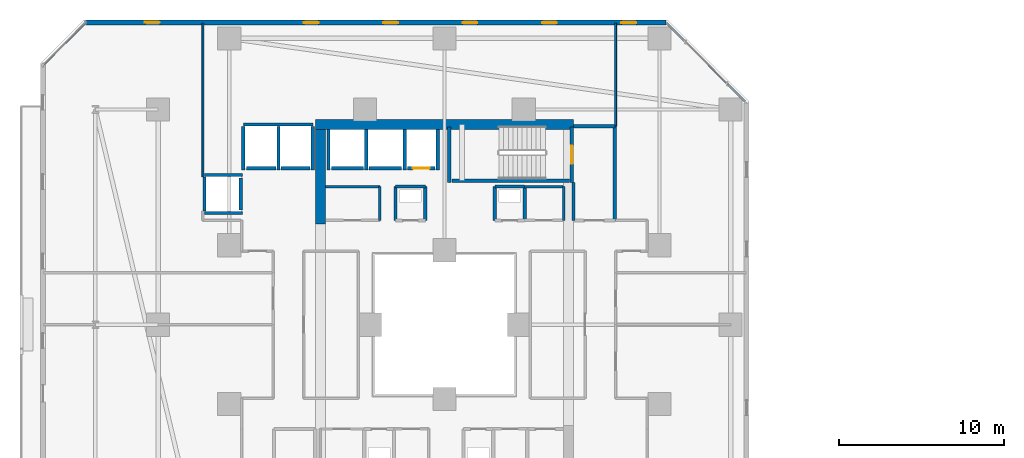
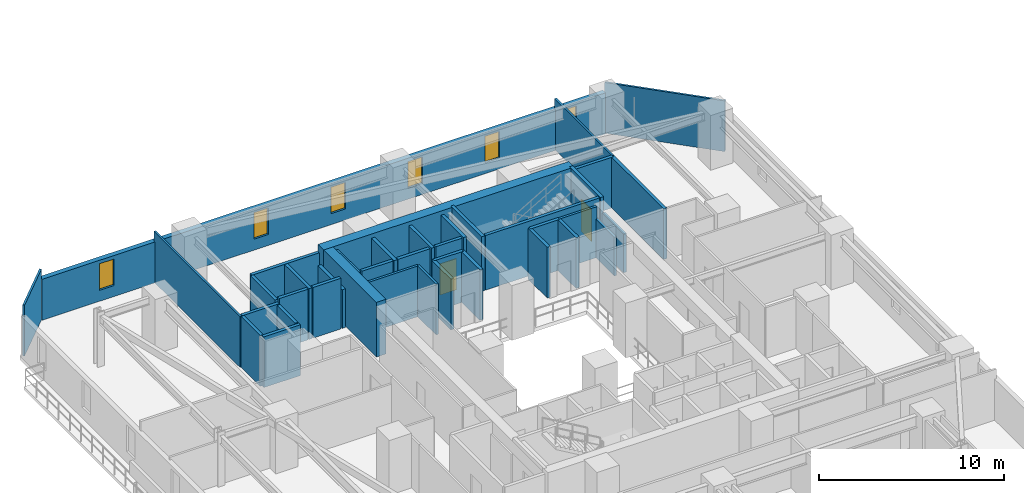
# One storey, part 21 of 33: 40 walls, 6 windows, 2 doors, 8 openings.
"""IFC4 building model written with IfcOpenShell, lengths in metres."""

from ifc_helpers import new_model, si_unit, direction, frame, frame_2d, origin, place, context, subcontext, project, spatial, rectangle, extrude, material, layer, layer_set, type_object, element, fill, save


model = new_model("IFC4")

# Units and contexts
model_context = context("Model", 3, precision=1e-05, world=origin(), true_north=direction((0.0, 1.0)))
body_context = subcontext(model_context, "Body", "Model", "MODEL_VIEW")
ifc_project = project(units=[si_unit("LENGTHUNIT", "METRE"), si_unit("AREAUNIT", "SQUARE_METRE"), si_unit("VOLUMEUNIT", "CUBIC_METRE"), si_unit("PLANEANGLEUNIT", "RADIAN"), si_unit("MASSUNIT", "GRAM", prefix="KILO")], contexts=[model_context])

# Site, building, storey
site_placement = place(None, origin())
site = spatial("IfcSite", under=ifc_project, at=site_placement, CompositionType="ELEMENT")
building_placement = place(site_placement, origin())
building = spatial("IfcBuilding", under=site, at=building_placement, Name="Thornwick Lancets Civic Towers", CompositionType="ELEMENT")
storey_placement = place(building_placement, frame((0.0, 0.0, 42.300048828125)))
storey = spatial("IfcBuildingStorey", under=building, at=storey_placement, Name="L10", CompositionType="ELEMENT", Elevation=42.300048828125)

# Wall, opening, door
ifc_material_1 = material(Name="Concrete blockwork C40/50", Category="masonry")
ifc_layer_1 = layer(ifc_material_1, 0.199951171875, Name="Concrete blockwork C40/50")
ifc_layer_set_1 = layer_set([ifc_layer_1], Name="Concrete blockwork C40/50")
wall_type_1 = type_object("IfcWallType", Name="WALL_COMP_200", PredefinedType="STANDARD", material=ifc_layer_set_1)
wall_1_placement = place(storey_placement, frame((24.919921875, 36.449951171875, 0.0), z_axis=(0.0, 0.0, 1.0), x_axis=(-1.0, 0.0, 0.0)))
wall_1 = element("IfcWall", 1, at=wall_1_placement, inside=storey, type_object=wall_type_1, Name="L10 Hoistway Front Wall FL-A2", PredefinedType="STANDARD", context=body_context, shape_type="SweptSolid", body=[
    extrude(rectangle(XDim=1.639892578125, YDim=0.199951171875, at=frame_2d((0.81982421875, 0.0))), origin(), (0.0, 0.0, 1.0), 3.33984375),
])
opening_1_placement = place(wall_1_placement, frame((0.31005859375, 0.0, 0.0)))
opening_1 = element("IfcOpeningElement", 2, at=opening_1_placement, cuts=wall_1, Name="Opening LD-FL-A2", PredefinedType="OPENING", context=body_context, shape_type="SweptSolid", body=[
    extrude(rectangle(XDim=1.02001953125, YDim=2.06005859375, at=frame_2d((0.510009765625, 1.030029296875))), frame((0.0, 0.10986328125, 0.0), z_axis=(0.0, -1.0, 0.0), x_axis=(1.0, 0.0, 0.0)), (0.0, 0.0, 1.0), 0.219970703125),
])
ifc_material_2 = material(Name="Brushed bronze stainless steel", Category="steel")
door_type_1 = type_object("IfcDoorType", Name="DOOR_LIFT_SLIDE", OperationType="SLIDING_TO_LEFT", PredefinedType="DOOR", material=ifc_material_2)
door_1_placement = place(opening_1_placement, origin())
door_1 = element("IfcDoor", 3, at=door_1_placement, inside=storey, type_object=door_type_1, Name="L10 Sliding Lift Landing Door LD-FL-A2", OperationType="SLIDING_TO_LEFT", OverallHeight=2.06005859375, OverallWidth=1.02001953125, PredefinedType="DOOR", context=body_context, shape_type="SweptSolid", body=[
    extrude(rectangle(XDim=1.02001953125, YDim=2.06005859375, at=frame_2d((0.510009765625, 1.030029296875))), frame((0.0, 0.02490234375, 0.0), z_axis=(0.0, -1.0, 0.0), x_axis=(1.0, 0.0, 0.0)), (0.0, 0.0, 1.0), 0.050048828125),
])
fill(opening_1, door_1)

# Walls
wall_2_placement = place(storey_placement, frame((22.919921875, 36.449951171875, 0.0), z_axis=(0.0, 0.0, 1.0), x_axis=(-1.0, 0.0, 0.0)))
element("IfcWall", 4, at=wall_2_placement, inside=storey, type_object=wall_type_1, Name="L10 Hoistway Front Wall PL-AH2", PredefinedType="STANDARD", context=body_context, shape_type="SweptSolid", body=[
    extrude(rectangle(XDim=1.989990234375, YDim=0.199951171875, at=frame_2d((0.9951171875, 0.0))), origin(), (0.0, 0.0, 1.0), 3.33984375),
])
wall_3_placement = place(storey_placement, frame((20.6201171875, 36.449951171875, 0.0), z_axis=(0.0, 0.0, 1.0), x_axis=(-1.0, 0.0, 0.0)))
element("IfcWall", 5, at=wall_3_placement, inside=storey, type_object=wall_type_1, Name="L10 Hoistway Front Wall PL-AH3", PredefinedType="STANDARD", context=body_context, shape_type="SweptSolid", body=[
    extrude(rectangle(XDim=1.940185546875, YDim=0.199951171875, at=frame_2d((0.97021484375, 0.0))), origin(), (0.0, 0.0, 1.0), 3.33984375),
])
wall_4_placement = place(storey_placement, frame((17.3701171875, 36.449951171875, 0.0), z_axis=(0.0, 0.0, 1.0), x_axis=(-1.0, 0.0, 0.0)))
element("IfcWall", 6, at=wall_4_placement, inside=storey, type_object=wall_type_1, Name="L10 Hoistway Front Wall PL-AM1", PredefinedType="STANDARD", context=body_context, shape_type="SweptSolid", body=[
    extrude(rectangle(XDim=1.740234375, YDim=0.199951171875, at=frame_2d((0.8701171875, 0.0))), origin(), (0.0, 0.0, 1.0), 3.33984375),
])
wall_5_placement = place(storey_placement, frame((15.320068359375, 36.449951171875, 0.0), z_axis=(0.0, 0.0, 1.0), x_axis=(-1.0, 0.0, 0.0)))
element("IfcWall", 7, at=wall_5_placement, inside=storey, type_object=wall_type_1, Name="L10 Hoistway Front Wall PL-AM2", PredefinedType="STANDARD", context=body_context, shape_type="SweptSolid", body=[
    extrude(rectangle(XDim=1.7900390625, YDim=0.199951171875, at=frame_2d((0.89501953125, 0.0))), origin(), (0.0, 0.0, 1.0), 3.33984375),
])
wall_6_placement = place(storey_placement, frame((13.199951171875, 33.929931640625, 0.0), z_axis=(0.0, 0.0, 1.0), x_axis=(0.0, 1.0, 0.0)))
element("IfcWall", 8, at=wall_6_placement, inside=storey, type_object=wall_type_1, Name="L10 Hoistway Front Wall PL-AM3", PredefinedType="STANDARD", context=body_context, shape_type="SweptSolid", body=[
    extrude(rectangle(XDim=1.940185546875, YDim=0.199951171875, at=frame_2d((0.97021484375, 0.0))), origin(), (0.0, 0.0, 1.0), 3.33984375),
])
for number, where, z_axis, x_axis, name in (
    (9, (25.10009765625, 36.35205078125, 0.0), (0.0, 0.0, 1.0), (0.0, 1.0, 0.0), "L10 Hoistway Shaft Wall FL-A2 E"),
    (10, (23.10009765625, 36.35205078125, 0.0), (0.0, 0.0, 1.0), (0.0, 1.0, 0.0), "L10 Hoistway Shaft Wall FL-A2 W"),
    (11, (20.77490234375, 36.35205078125, 0.0), (0.0, 0.0, 1.0), (0.0, 1.0, 0.0), "L10 Hoistway Shaft Wall PL-AH2 W"),
    (12, (18.5, 36.35205078125, 0.0), (0.0, 0.0, 1.0), (0.0, 1.0, 0.0), "L10 Hoistway Shaft Wall PL-AH3 W"),
):
    element("IfcWall", number, at=place(storey_placement, frame(where, z_axis=z_axis, x_axis=x_axis)), inside=storey, type_object=wall_type_1, Name=name, PredefinedType="STANDARD", context=body_context, shape_type="SweptSolid", body=[
        extrude(rectangle(XDim=2.43603515625, YDim=0.199951171875, at=frame_2d((1.218017578125, 0.0))), origin(), (0.0, 0.0, 1.0), 3.33984375),
    ])
wall_7_placement = place(storey_placement, frame((13.35205078125, 39.10009765625, 0.0), z_axis=(0.0, 0.0, 1.0), x_axis=(1.0, 0.0, 0.0)))
element("IfcWall", 13, at=wall_7_placement, inside=storey, type_object=wall_type_1, Name="L10 Hoistway Shaft Wall PL-AM1 N", PredefinedType="STANDARD", context=body_context, shape_type="SweptSolid", body=[
    extrude(rectangle(XDim=4.196044921875, YDim=0.199951171875, at=frame_2d((2.09814453125, 0.0))), origin(), (0.0, 0.0, 1.0), 3.33984375),
])
wall_8_placement = place(storey_placement, frame((17.550048828125, 36.35205078125, 0.0), z_axis=(0.0, 0.0, 1.0), x_axis=(0.0, 1.0, 0.0)))
element("IfcWall", 14, at=wall_8_placement, inside=storey, type_object=wall_type_1, Name="L10 Hoistway Shaft Wall PL-AM1 E", PredefinedType="STANDARD", context=body_context, shape_type="SweptSolid", body=[
    extrude(rectangle(XDim=2.635986328125, YDim=0.199951171875, at=frame_2d((1.31787109375, 0.0))), origin(), (0.0, 0.0, 1.0), 2.544921875),
])
for number, where, z_axis, x_axis, name in (
    (15, (15.47509765625, 36.35205078125, 0.0), (0.0, 0.0, 1.0), (0.0, 1.0, 0.0), "L10 Hoistway Shaft Wall PL-AM1 W"),
    (16, (13.35009765625, 36.35205078125, 0.0), (0.0, 0.0, 1.0), (0.0, 1.0, 0.0), "L10 Hoistway Shaft Wall PL-AM2 W"),
):
    element("IfcWall", number, at=place(storey_placement, frame(where, z_axis=z_axis, x_axis=x_axis)), inside=storey, type_object=wall_type_1, Name=name, PredefinedType="STANDARD", context=body_context, shape_type="SweptSolid", body=[
        extrude(rectangle(XDim=2.635986328125, YDim=0.199951171875, at=frame_2d((1.31787109375, 0.0))), origin(), (0.0, 0.0, 1.0), 3.33984375),
    ])
for number, where, z_axis, x_axis, name in (
    (17, (11.001953125, 36.050048828125, 0.0), (0.0, 0.0, 1.0), (1.0, 0.0, 0.0), "L10 Hoistway Shaft Wall PL-AM3 N"),
    (18, (11.001953125, 33.75, 0.0), (0.0, 0.0, 1.0), (1.0, 0.0, 0.0), "L10 Hoistway Shaft Wall PL-AM3 S"),
):
    element("IfcWall", number, at=place(storey_placement, frame(where, z_axis=z_axis, x_axis=x_axis)), inside=storey, type_object=wall_type_1, Name=name, PredefinedType="STANDARD", context=body_context, shape_type="SweptSolid", body=[
        extrude(rectangle(XDim=2.296142578125, YDim=0.199951171875, at=frame_2d((1.14794921875, 0.0))), origin(), (0.0, 0.0, 1.0), 3.33984375),
    ])
wall_9_placement = place(storey_placement, frame((11.0, 33.862060546875, 0.0), z_axis=(0.0, 0.0, 1.0), x_axis=(0.0, 1.0, 0.0)))
element("IfcWall", 19, at=wall_9_placement, inside=storey, type_object=wall_type_1, Name="L10 Hoistway Shaft Wall PL-AM3 W", PredefinedType="STANDARD", context=body_context, shape_type="SweptSolid", body=[
    extrude(rectangle(XDim=2.075927734375, YDim=0.199951171875, at=frame_2d((1.0380859375, 0.0))), origin(), (0.0, 0.0, 1.0), 3.33984375),
])
wall_10_placement = place(storey_placement, frame((35.800048828125, 33.300048828125, 0.0), z_axis=(0.0, 0.0, 1.0), x_axis=(0.0, 1.0, 0.0)))
element("IfcWall", 20, at=wall_10_placement, inside=storey, type_object=wall_type_1, Name="L10 Partition L10-A-FFLOB2 E2", PredefinedType="STANDARD", context=body_context, shape_type="SweptSolid", body=[
    extrude(rectangle(XDim=5.699951171875, YDim=0.199951171875, at=frame_2d((2.85009765625, 0.0))), origin(), (0.0, 0.0, 1.0), 3.33984375),
])
wall_11_placement = place(storey_placement, frame((35.800048828125, 39.0, 0.0), z_axis=(0.0, 0.0, 1.0), x_axis=(-1.0, 0.0, 0.0)))
element("IfcWall", 21, at=wall_11_placement, inside=storey, type_object=wall_type_1, Name="L10 Partition L10-A-FFLOB2 E3", PredefinedType="STANDARD", context=body_context, shape_type="SweptSolid", body=[
    extrude(rectangle(XDim=2.5, YDim=0.199951171875, at=frame_2d((1.25, 0.0))), origin(), (0.0, 0.0, 1.0), 3.33984375),
])
wall_12_placement = place(storey_placement, frame((33.300048828125, 35.60009765625, 0.0), z_axis=(0.0, 0.0, 1.0), x_axis=(0.0, -1.0, 0.0)))
element("IfcWall", 22, at=wall_12_placement, inside=storey, type_object=wall_type_1, Name="L10 Partition L10-A-FFLOB2 E4", PredefinedType="STANDARD", context=body_context, shape_type="SweptSolid", body=[
    extrude(rectangle(XDim=2.300048828125, YDim=0.199951171875, at=frame_2d((1.14990234375, 0.0))), origin(), (0.0, 0.0, 1.0), 2.544921875),
])
wall_13_placement = place(storey_placement, frame((24.35009765625, 33.300048828125, 0.0), z_axis=(0.0, 0.0, 1.0), x_axis=(0.0, 1.0, 0.0)))
element("IfcWall", 23, at=wall_13_placement, inside=storey, type_object=wall_type_1, Name="L10 Partition L10-A-DUCT2 E2", PredefinedType="STANDARD", context=body_context, shape_type="SweptSolid", body=[
    extrude(rectangle(XDim=2.050048828125, YDim=0.199951171875, at=frame_2d((1.02490234375, 0.0))), origin(), (0.0, 0.0, 1.0), 3.33984375),
])
wall_14_placement = place(storey_placement, frame((24.35009765625, 35.35009765625, 0.0), z_axis=(0.0, 0.0, 1.0), x_axis=(-1.0, 0.0, 0.0)))
element("IfcWall", 24, at=wall_14_placement, inside=storey, type_object=wall_type_1, Name="L10 Partition L10-A-DUCT2 E3", PredefinedType="STANDARD", context=body_context, shape_type="SweptSolid", body=[
    extrude(rectangle(XDim=1.800048828125, YDim=0.199951171875, at=frame_2d((0.89990234375, 0.0))), origin(), (0.0, 0.0, 1.0), 3.33984375),
])
for number, where, z_axis, x_axis, name in (
    (25, (22.550048828125, 35.35009765625, 0.0), (0.0, 0.0, 1.0), (0.0, -1.0, 0.0), "L10 Partition L10-A-DUCT2 E4"),
    (26, (30.35009765625, 33.300048828125, 0.0), (0.0, 0.0, 1.0), (0.0, 1.0, 0.0), "L10 Partition L10-A-RISER2 E2"),
):
    element("IfcWall", number, at=place(storey_placement, frame(where, z_axis=z_axis, x_axis=x_axis)), inside=storey, type_object=wall_type_1, Name=name, PredefinedType="STANDARD", context=body_context, shape_type="SweptSolid", body=[
        extrude(rectangle(XDim=2.050048828125, YDim=0.199951171875, at=frame_2d((1.02490234375, 0.0))), origin(), (0.0, 0.0, 1.0), 3.33984375),
    ])
wall_15_placement = place(storey_placement, frame((30.35009765625, 35.35009765625, 0.0), z_axis=(0.0, 0.0, 1.0), x_axis=(-1.0, 0.0, 0.0)))
element("IfcWall", 27, at=wall_15_placement, inside=storey, type_object=wall_type_1, Name="L10 Partition L10-A-RISER2 E3", PredefinedType="STANDARD", context=body_context, shape_type="SweptSolid", body=[
    extrude(rectangle(XDim=1.800048828125, YDim=0.199951171875, at=frame_2d((0.89990234375, 0.0))), origin(), (0.0, 0.0, 1.0), 3.33984375),
])
wall_16_placement = place(storey_placement, frame((28.550048828125, 35.35009765625, 0.0), z_axis=(0.0, 0.0, 1.0), x_axis=(0.0, -1.0, 0.0)))
element("IfcWall", 28, at=wall_16_placement, inside=storey, type_object=wall_type_1, Name="L10 Partition L10-A-RISER2 E4", PredefinedType="STANDARD", context=body_context, shape_type="SweptSolid", body=[
    extrude(rectangle(XDim=2.050048828125, YDim=0.199951171875, at=frame_2d((1.02490234375, 0.0))), origin(), (0.0, 0.0, 1.0), 3.33984375),
])
ifc_material_3 = material(Name="Concrete C60/75", Category="concrete")
ifc_layer_2 = layer(ifc_material_3, 0.60009765625, Name="Concrete C60/75")
ifc_layer_set_2 = layer_set([ifc_layer_2], Name="Concrete C60/75")
wall_type_2 = type_object("IfcWallType", Name="WALL_CORE_600", PredefinedType="SHEAR", material=ifc_layer_set_2)
wall_17_placement = place(storey_placement, frame((17.699951171875, 39.10009765625, 0.0), z_axis=(0.0, 0.0, 1.0), x_axis=(1.0, 0.0, 0.0)))
element("IfcWall", 29, at=wall_17_placement, inside=storey, type_object=wall_type_2, Name="L10 Split Core A2 Shear Wall N", PredefinedType="SHEAR", context=body_context, shape_type="SweptSolid", body=[
    extrude(rectangle(XDim=15.60009765625, YDim=0.60009765625, at=frame_2d((7.800048828125, 0.0))), origin(), (0.0, 0.0, 1.0), 3.599853515625),
])
wall_18_placement = place(storey_placement, frame((18.0, 33.10009765625, 0.0), z_axis=(0.0, 0.0, 1.0), x_axis=(0.0, 1.0, 0.0)))
element("IfcWall", 30, at=wall_18_placement, inside=storey, type_object=wall_type_2, Name="L10 Split Core A2 Shear Wall W", PredefinedType="SHEAR", context=body_context, shape_type="SweptSolid", body=[
    extrude(rectangle(XDim=5.699951171875, YDim=0.60009765625, at=frame_2d((2.85009765625, 0.0))), origin(), (0.0, 0.0, 1.0), 3.599853515625),
])

# Wall, openings, windows
ifc_material_4 = material(Name="Insulated russet terracotta rainscreen on concrete C40/50", Category="masonry")
ifc_layer_3 = layer(ifc_material_4, 0.300048828125, Name="Insulated russet terracotta rainscreen on concrete C40/50")
ifc_layer_set_3 = layer_set([ifc_layer_3], Name="Insulated russet terracotta rainscreen on concrete C40/50")
wall_type_3 = type_object("IfcWallType", Name="WALL_EXT_RUSSET_300", PredefinedType="STANDARD", material=ifc_layer_set_3)
wall_19_placement = place(storey_placement, frame((38.899169921875, 45.257568359375, 0.0), z_axis=(0.0, 0.0, 1.0), x_axis=(-0.999999978205, 0.000208784245, 0.0)))
wall_19 = element("IfcWall", 31, at=wall_19_placement, inside=storey, type_object=wall_type_3, Name="L10 Tower A Terracotta Facade Wall E4", PredefinedType="STANDARD", context=body_context, shape_type="SweptSolid", body=[
    extrude(rectangle(XDim=35.080322265625, YDim=0.300048828125, at=frame_2d((17.5400390625, 0.0))), origin(), (0.0, 0.0, 1.0), 2.699951171875),
])
opening_2_placement = place(wall_19_placement, frame((1.800048828125, 0.0, 0.719970703125)))
opening_2 = element("IfcOpeningElement", 32, at=opening_2_placement, cuts=wall_19, Name="Opening WL-01", PredefinedType="OPENING", context=body_context, shape_type="SweptSolid", body=[
    extrude(rectangle(XDim=0.89990234375, YDim=1.75, at=frame_2d((0.449951171875, 0.875))), frame((0.0, 0.16015625, 0.0), z_axis=(0.0, -1.0, 0.0), x_axis=(1.0, 0.0, 0.0)), (0.0, 0.0, 1.0), 0.320068359375),
])
opening_3_placement = place(wall_19_placement, frame((6.60009765625, 0.0, 0.719970703125)))
opening_3 = element("IfcOpeningElement", 33, at=opening_3_placement, cuts=wall_19, Name="Opening WL-01", PredefinedType="OPENING", context=body_context, shape_type="SweptSolid", body=[
    extrude(rectangle(XDim=0.89990234375, YDim=1.75, at=frame_2d((0.449951171875, 0.875))), frame((0.0, 0.16015625, 0.0), z_axis=(0.0, -1.0, 0.0), x_axis=(1.0, 0.0, 0.0)), (0.0, 0.0, 1.0), 0.320068359375),
])
opening_4_placement = place(wall_19_placement, frame((11.39990234375, 0.0, 0.719970703125)))
opening_4 = element("IfcOpeningElement", 34, at=opening_4_placement, cuts=wall_19, Name="Opening WL-01", PredefinedType="OPENING", context=body_context, shape_type="SweptSolid", body=[
    extrude(rectangle(XDim=0.89990234375, YDim=1.75, at=frame_2d((0.449951171875, 0.875))), frame((0.0, 0.16015625, 0.0), z_axis=(0.0, -1.0, 0.0), x_axis=(1.0, 0.0, 0.0)), (0.0, 0.0, 1.0), 0.320068359375),
])
opening_5_placement = place(wall_19_placement, frame((16.199951171875, 0.0, 0.719970703125)))
opening_5 = element("IfcOpeningElement", 35, at=opening_5_placement, cuts=wall_19, Name="Opening WL-01", PredefinedType="OPENING", context=body_context, shape_type="SweptSolid", body=[
    extrude(rectangle(XDim=0.89990234375, YDim=1.75, at=frame_2d((0.449951171875, 0.875))), frame((0.0, 0.16015625, 0.0), z_axis=(0.0, -1.0, 0.0), x_axis=(1.0, 0.0, 0.0)), (0.0, 0.0, 1.0), 0.320068359375),
])
opening_6_placement = place(wall_19_placement, frame((21.0, 0.0, 0.719970703125)))
opening_6 = element("IfcOpeningElement", 36, at=opening_6_placement, cuts=wall_19, Name="Opening WL-01", PredefinedType="OPENING", context=body_context, shape_type="SweptSolid", body=[
    extrude(rectangle(XDim=0.89990234375, YDim=1.75, at=frame_2d((0.449951171875, 0.875))), frame((0.0, 0.16015625, 0.0), z_axis=(0.0, -1.0, 0.0), x_axis=(1.0, 0.0, 0.0)), (0.0, 0.0, 1.0), 0.320068359375),
])
opening_7_placement = place(wall_19_placement, frame((30.60009765625, 0.0, 0.719970703125)))
opening_7 = element("IfcOpeningElement", 37, at=opening_7_placement, cuts=wall_19, Name="Opening WL-01", PredefinedType="OPENING", context=body_context, shape_type="SweptSolid", body=[
    extrude(rectangle(XDim=0.89990234375, YDim=1.75, at=frame_2d((0.449951171875, 0.875))), frame((0.0, 0.16015625, 0.0), z_axis=(0.0, -1.0, 0.0), x_axis=(1.0, 0.0, 0.0)), (0.0, 0.0, 1.0), 0.320068359375),
])
ifc_material_5 = material(Name="Clear low-e double glazing in bronze frame", Category="glass")
window_type = type_object("IfcWindowType", Name="WIN_LANCET_900", PartitioningType="SINGLE_PANEL", PredefinedType="WINDOW", material=ifc_material_5)
window_1_placement = place(opening_2_placement, origin())
window_1 = element("IfcWindow", 38, at=window_1_placement, inside=storey, type_object=window_type, Name="L10 Tower A Staggered Lancet Window E4-1", OverallHeight=1.75, OverallWidth=0.89990234375, PartitioningType="SINGLE_PANEL", PredefinedType="WINDOW", context=body_context, shape_type="SweptSolid", body=[
    extrude(rectangle(XDim=0.89990234375, YDim=1.75, at=frame_2d((0.449951171875, 0.875))), frame((0.0, 0.030029296875, 0.0), z_axis=(0.0, -1.0, 0.0), x_axis=(1.0, 0.0, 0.0)), (0.0, 0.0, 1.0), 0.06005859375),
])
fill(opening_2, window_1)
window_2_placement = place(opening_3_placement, origin())
window_2 = element("IfcWindow", 39, at=window_2_placement, inside=storey, type_object=window_type, Name="L10 Tower A Staggered Lancet Window E4-2", OverallHeight=1.75, OverallWidth=0.89990234375, PartitioningType="SINGLE_PANEL", PredefinedType="WINDOW", context=body_context, shape_type="SweptSolid", body=[
    extrude(rectangle(XDim=0.89990234375, YDim=1.75, at=frame_2d((0.449951171875, 0.875))), frame((0.0, 0.030029296875, 0.0), z_axis=(0.0, -1.0, 0.0), x_axis=(1.0, 0.0, 0.0)), (0.0, 0.0, 1.0), 0.06005859375),
])
fill(opening_3, window_2)
window_3_placement = place(opening_4_placement, origin())
window_3 = element("IfcWindow", 40, at=window_3_placement, inside=storey, type_object=window_type, Name="L10 Tower A Staggered Lancet Window E4-3", OverallHeight=1.75, OverallWidth=0.89990234375, PartitioningType="SINGLE_PANEL", PredefinedType="WINDOW", context=body_context, shape_type="SweptSolid", body=[
    extrude(rectangle(XDim=0.89990234375, YDim=1.75, at=frame_2d((0.449951171875, 0.875))), frame((0.0, 0.030029296875, 0.0), z_axis=(0.0, -1.0, 0.0), x_axis=(1.0, 0.0, 0.0)), (0.0, 0.0, 1.0), 0.06005859375),
])
fill(opening_4, window_3)
window_4_placement = place(opening_5_placement, origin())
window_4 = element("IfcWindow", 41, at=window_4_placement, inside=storey, type_object=window_type, Name="L10 Tower A Staggered Lancet Window E4-4", OverallHeight=1.75, OverallWidth=0.89990234375, PartitioningType="SINGLE_PANEL", PredefinedType="WINDOW", context=body_context, shape_type="SweptSolid", body=[
    extrude(rectangle(XDim=0.89990234375, YDim=1.75, at=frame_2d((0.449951171875, 0.875))), frame((0.0, 0.030029296875, 0.0), z_axis=(0.0, -1.0, 0.0), x_axis=(1.0, 0.0, 0.0)), (0.0, 0.0, 1.0), 0.06005859375),
])
fill(opening_5, window_4)
window_5_placement = place(opening_6_placement, origin())
window_5 = element("IfcWindow", 42, at=window_5_placement, inside=storey, type_object=window_type, Name="L10 Tower A Staggered Lancet Window E4-5", OverallHeight=1.75, OverallWidth=0.89990234375, PartitioningType="SINGLE_PANEL", PredefinedType="WINDOW", context=body_context, shape_type="SweptSolid", body=[
    extrude(rectangle(XDim=0.89990234375, YDim=1.75, at=frame_2d((0.449951171875, 0.875))), frame((0.0, 0.030029296875, 0.0), z_axis=(0.0, -1.0, 0.0), x_axis=(1.0, 0.0, 0.0)), (0.0, 0.0, 1.0), 0.06005859375),
])
fill(opening_6, window_5)
window_6_placement = place(opening_7_placement, origin())
window_6 = element("IfcWindow", 43, at=window_6_placement, inside=storey, type_object=window_type, Name="L10 Tower A Staggered Lancet Window E4-6", OverallHeight=1.75, OverallWidth=0.89990234375, PartitioningType="SINGLE_PANEL", PredefinedType="WINDOW", context=body_context, shape_type="SweptSolid", body=[
    extrude(rectangle(XDim=0.89990234375, YDim=1.75, at=frame_2d((0.449951171875, 0.875))), frame((0.0, 0.030029296875, 0.0), z_axis=(0.0, -1.0, 0.0), x_axis=(1.0, 0.0, 0.0)), (0.0, 0.0, 1.0), 0.06005859375),
])
fill(opening_7, window_6)

# Walls
ifc_material_6 = material(Name="Acoustic gypsum board partition")
ifc_layer_4 = layer(ifc_material_6, 0.1201171875, Name="Acoustic gypsum board partition")
ifc_layer_set_4 = layer_set([ifc_layer_4], Name="Acoustic gypsum board partition")
wall_type_4 = type_object("IfcWallType", Name="WALL_PART_120", PredefinedType="PARTITIONING", material=ifc_layer_set_4)
wall_20_placement = place(storey_placement, frame((1.280029296875, 42.725341796875, 0.0), z_axis=(0.0, 0.0, 1.0), x_axis=(0.707106781187, 0.707106781187, 0.0)))
element("IfcWall", 44, at=wall_20_placement, inside=storey, type_object=wall_type_4, Name="L10 Partition L10-A-W3 E7", PredefinedType="PARTITIONING", context=body_context, shape_type="SweptSolid", body=[
    extrude(rectangle(XDim=3.52783203125, YDim=0.1201171875, at=frame_2d((1.763916015625, 0.0))), origin(), (0.0, 0.0, 1.0), 3.33984375),
])
wall_21_placement = place(storey_placement, frame((10.89990234375, 45.219970703125, 0.0), z_axis=(0.0, 0.0, 1.0), x_axis=(0.0, -1.0, 0.0)))
element("IfcWall", 45, at=wall_21_placement, inside=storey, type_object=wall_type_4, Name="L10 Partition L10-A-W3 E9", PredefinedType="PARTITIONING", context=body_context, shape_type="SweptSolid", body=[
    extrude(rectangle(XDim=9.281982421875, YDim=0.1201171875, at=frame_2d((4.64111328125, 0.0))), origin(), (0.0, 0.0, 1.0), 3.33984375),
])
wall_22_placement = place(storey_placement, frame((35.85009765625, 39.0, 0.0), z_axis=(0.0, 0.0, 1.0), x_axis=(0.0, 1.0, 0.0)))
element("IfcWall", 46, at=wall_22_placement, inside=storey, type_object=wall_type_4, Name="L10 Partition L10-A-E3 E4", PredefinedType="PARTITIONING", context=body_context, shape_type="SweptSolid", body=[
    extrude(rectangle(XDim=6.219970703125, YDim=0.1201171875, at=frame_2d((3.10986328125, 0.0))), origin(), (0.0, 0.0, 1.0), 3.33984375),
])
wall_23_placement = place(storey_placement, frame((38.934326171875, 45.219970703125, 0.0), z_axis=(0.0, 0.0, 1.0), x_axis=(0.707106781187, -0.707106781187, 0.0)))
element("IfcWall", 47, at=wall_23_placement, inside=storey, type_object=wall_type_4, Name="L10 Partition L10-A-E3 E6", PredefinedType="PARTITIONING", context=body_context, shape_type="SweptSolid", body=[
    extrude(rectangle(XDim=6.703369140625, YDim=0.1201171875, at=frame_2d((3.3515625, 0.0))), origin(), (0.0, 0.0, 1.0), 3.33984375),
])
ifc_material_7 = material(Name="Twin-stud acoustic gypsum board")
ifc_layer_5 = layer(ifc_material_7, 0.14990234375, Name="Twin-stud acoustic gypsum board")
ifc_layer_set_5 = layer_set([ifc_layer_5], Name="Twin-stud acoustic gypsum board")
wall_type_5 = type_object("IfcWallType", Name="WALL_PART_150", PredefinedType="PARTITIONING", material=ifc_layer_set_5)
wall_24_placement = place(storey_placement, frame((21.60009765625, 33.300048828125, 0.0), z_axis=(0.0, 0.0, 1.0), x_axis=(0.0, 1.0, 0.0)))
element("IfcWall", 48, at=wall_24_placement, inside=storey, type_object=wall_type_5, Name="L10 Partition L10-A-MWC E2", PredefinedType="PARTITIONING", context=body_context, shape_type="SweptSolid", body=[
    extrude(rectangle(XDim=2.050048828125, YDim=0.14990234375, at=frame_2d((1.02490234375, 0.0))), origin(), (0.0, 0.0, 1.0), 3.33984375),
])
wall_25_placement = place(storey_placement, frame((21.60009765625, 35.35009765625, 0.0), z_axis=(0.0, 0.0, 1.0), x_axis=(-1.0, 0.0, 0.0)))
element("IfcWall", 49, at=wall_25_placement, inside=storey, type_object=wall_type_5, Name="L10 Partition L10-A-MWC E3", PredefinedType="PARTITIONING", context=body_context, shape_type="SweptSolid", body=[
    extrude(rectangle(XDim=3.300048828125, YDim=0.14990234375, at=frame_2d((1.64990234375, 0.0))), origin(), (0.0, 0.0, 1.0), 3.33984375),
])
wall_26_placement = place(storey_placement, frame((32.699951171875, 35.35009765625, 0.0), z_axis=(0.0, 0.0, 1.0), x_axis=(0.0, -1.0, 0.0)))
element("IfcWall", 50, at=wall_26_placement, inside=storey, type_object=wall_type_5, Name="L10 Partition L10-A-FWC E1", PredefinedType="PARTITIONING", context=body_context, shape_type="SweptSolid", body=[
    extrude(rectangle(XDim=2.050048828125, YDim=0.14990234375, at=frame_2d((1.02490234375, 0.0))), origin(), (0.0, 0.0, 1.0), 2.544921875),
])
wall_27_placement = place(storey_placement, frame((30.35009765625, 35.35009765625, 0.0), z_axis=(0.0, 0.0, 1.0), x_axis=(1.0, 0.0, 0.0)))
element("IfcWall", 51, at=wall_27_placement, inside=storey, type_object=wall_type_5, Name="L10 Partition L10-A-FWC E4", PredefinedType="PARTITIONING", context=body_context, shape_type="SweptSolid", body=[
    extrude(rectangle(XDim=2.349853515625, YDim=0.14990234375, at=frame_2d((1.1748046875, 0.0))), origin(), (0.0, 0.0, 1.0), 3.33984375),
])

# Wall, opening, door
ifc_material_8 = material(Name="Concrete C40/50", Category="concrete")
ifc_layer_6 = layer(ifc_material_8, 0.199951171875, Name="Concrete C40/50")
ifc_layer_set_6 = layer_set([ifc_layer_6], Name="Concrete C40/50")
wall_type_6 = type_object("IfcWallType", Name="WALL_SHAFT_200", PredefinedType="SHEAR", material=ifc_layer_set_6)
wall_28_placement = place(storey_placement, frame((33.199951171875, 38.949951171875, 0.0), z_axis=(0.0, 0.0, 1.0), x_axis=(0.0, -1.0, 0.0)))
wall_28 = element("IfcWall", 52, at=wall_28_placement, inside=storey, type_object=wall_type_6, Name="L10 ST-A2 Fire Stair Core Wall NEAR", PredefinedType="SHEAR", context=body_context, shape_type="SweptSolid", body=[
    extrude(rectangle(XDim=3.349853515625, YDim=0.199951171875, at=frame_2d((1.6748046875, 0.0))), origin(), (0.0, 0.0, 1.0), 3.599853515625),
])
opening_8_placement = place(wall_28_placement, frame((1.125, 0.0, 0.0)))
opening_8 = element("IfcOpeningElement", 53, at=opening_8_placement, cuts=wall_28, Name="Opening D-ST-A2-L10", PredefinedType="OPENING", context=body_context, shape_type="SweptSolid", body=[
    extrude(rectangle(XDim=1.10009765625, YDim=2.10009765625, at=frame_2d((0.550048828125, 1.050048828125))), frame((0.0, 0.10986328125, 0.0), z_axis=(0.0, -1.0, 0.0), x_axis=(1.0, 0.0, 0.0)), (0.0, 0.0, 1.0), 0.219970703125),
])
ifc_material_9 = material(Name="Fire-resisting steel and hardwood", Category="steel")
door_type_2 = type_object("IfcDoorType", Name="DOOR_STAIR_FD60", OperationType="NOTDEFINED", PredefinedType="DOOR", material=ifc_material_9)
door_2_placement = place(opening_8_placement, origin())
door_2 = element("IfcDoor", 54, at=door_2_placement, inside=storey, type_object=door_type_2, Name="L10 ST-A2 Exit Stair Door", OperationType="SINGLE_SWING_LEFT", OverallHeight=2.10009765625, OverallWidth=1.10009765625, PredefinedType="DOOR", context=body_context, shape_type="SweptSolid", body=[
    extrude(rectangle(XDim=1.10009765625, YDim=2.10009765625, at=frame_2d((0.550048828125, 1.050048828125))), frame((0.0, 0.02490234375, 0.0), z_axis=(0.0, -1.0, 0.0), x_axis=(1.0, 0.0, 0.0)), (0.0, 0.0, 1.0), 0.050048828125),
])
fill(opening_8, door_2)

# Walls
wall_29_placement = place(storey_placement, frame((25.800048828125, 35.60009765625, 0.0), z_axis=(0.0, 0.0, 1.0), x_axis=(0.0, 1.0, 0.0)))
element("IfcWall", 55, at=wall_29_placement, inside=storey, type_object=wall_type_6, Name="L10 ST-A2 Fire Stair Core Wall FAR", PredefinedType="SHEAR", context=body_context, shape_type="SweptSolid", body=[
    extrude(rectangle(XDim=3.349853515625, YDim=0.199951171875, at=frame_2d((1.6748046875, 0.0))), origin(), (0.0, 0.0, 1.0), 3.599853515625),
])
wall_30_placement = place(storey_placement, frame((25.949951171875, 35.702880859375, 0.0), z_axis=(0.0, 0.0, 1.0), x_axis=(1.0, 0.0, 0.0)))
element("IfcWall", 56, at=wall_30_placement, inside=storey, type_object=wall_type_6, Name="L10 ST-A2 Fire Stair Core Wall RIGHT", PredefinedType="SHEAR", context=body_context, shape_type="SweptSolid", body=[
    extrude(rectangle(XDim=7.10009765625, YDim=0.199951171875, at=frame_2d((3.550048828125, 0.0))), origin(), (0.0, 0.0, 1.0), 3.599853515625),
])

save(model, "model.ifc")
